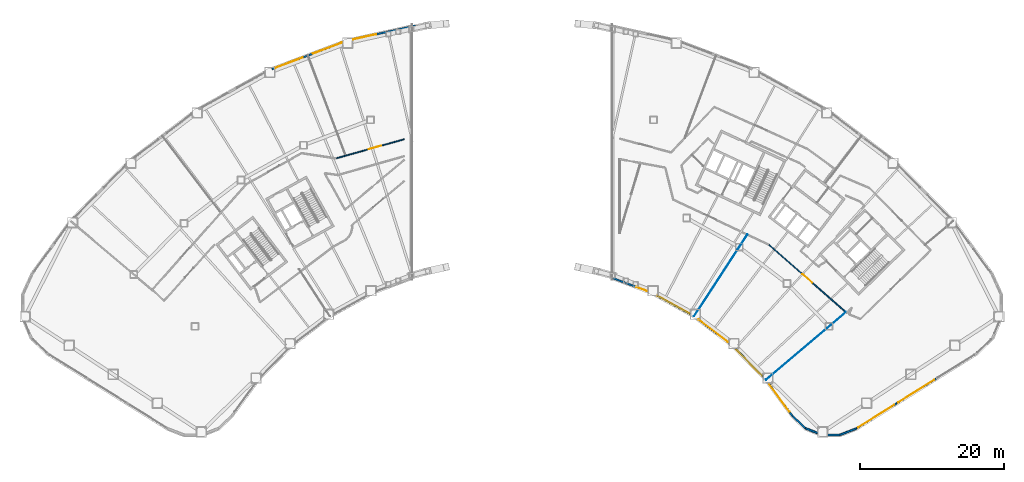
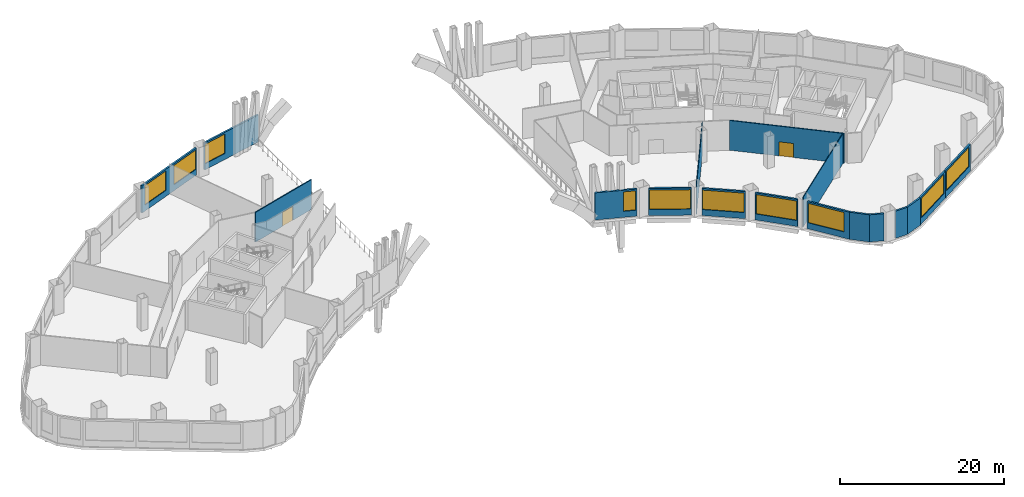
# One storey, part 8 of 14: 17 walls, 10 windows, 2 doors, 12 openings.
"""IFC4 building model written with IfcOpenShell, lengths in metres."""

import ifcopenshell
import ifcopenshell.guid

model = None  # the IFC model being written
_history = None  # IfcOwnerHistory: only IFC2X3 demands one
_inside = {}  # id of a spatial element -> (the spatial element, [elements in it])
_under = {}  # id of a project, library or spatial element -> (it, [spatial elements below it])
_declared = {}  # id of a project -> (the project, [libraries it declares])
_typed = {}  # id of a type object -> (the type object, [elements of that type])
_made_of = {}  # id of a material, layer set ... -> (it, [elements and type objects made of it])


def new_model(schema):
    """Start an empty IFC model of exactly this schema.

    Asked for "IFC4X3", IfcOpenShell would pick the latest addendum, in which some entities
    have other attributes; the version numbers below select the first issue.
    IFC2X3 requires an IfcOwnerHistory on every rooted entity: one is made here for all.
    """
    global model, _history
    if schema == "IFC4X3":
        model = ifcopenshell.file(schema_version=(4, 3, 0, 0))
    else:
        model = ifcopenshell.file(schema=schema)
    _inside.clear()
    _under.clear()
    _declared.clear()
    _typed.clear()
    _made_of.clear()
    _history = None
    if model.schema == "IFC2X3":
        org = make("IfcOrganization", Name="unknown")
        user = make(
            "IfcPersonAndOrganization",
            ThePerson=make("IfcPerson", FamilyName="unknown"),
            TheOrganization=org,
        )
        app = make(
            "IfcApplication",
            ApplicationDeveloper=org,
            Version="unknown",
            ApplicationFullName="unknown",
            ApplicationIdentifier="unknown",
        )
        _history = make(
            "IfcOwnerHistory",
            OwningUser=user,
            OwningApplication=app,
            ChangeAction="ADDED",
            CreationDate=0,
        )
    return model


def make(cls, **values):
    """One entity of the class cls with the attributes given. An attribute that is None is left unset."""
    return model.create_entity(
        cls, **{name: value for name, value in values.items() if value is not None}
    )


def rooted(cls, **values):
    """An entity with a GlobalId (a new one), such as an element, a storey or a relation."""
    return make(cls, GlobalId=ifcopenshell.guid.new(), OwnerHistory=_history, **values)


def si_unit(unit_type, name, prefix=None):
    """IfcSIUnit, for example si_unit("LENGTHUNIT", "METRE", prefix="MILLI")."""
    return make("IfcSIUnit", UnitType=unit_type, Prefix=prefix, Name=name)


def assignment(units):
    """IfcUnitAssignment: the units of a project."""
    return None if units is None else make("IfcUnitAssignment", Units=units)


def point(xyz):
    """IfcCartesianPoint."""
    return None if xyz is None else make("IfcCartesianPoint", Coordinates=xyz)


def direction(xyz):
    """IfcDirection."""
    return None if xyz is None else make("IfcDirection", DirectionRatios=xyz)


def frame(location, z_axis=None, x_axis=None):
    """IfcAxis2Placement3D, a coordinate frame: its origin and axes. An axis left out is left unset."""
    return make(
        "IfcAxis2Placement3D",
        Location=point(location),
        Axis=direction(z_axis),
        RefDirection=direction(x_axis),
    )


def frame_2d(location, x_axis=None):
    """IfcAxis2Placement2D, a coordinate frame in the plane: its origin and x axis."""
    return make(
        "IfcAxis2Placement2D", Location=point(location), RefDirection=direction(x_axis)
    )


def origin():
    """The frame at (0, 0, 0) with its axes left unset."""
    return frame((0.0, 0.0, 0.0))


def place(relative_to, where):
    """IfcLocalPlacement: puts the frame where relative to a parent placement (None: the world)."""
    return make(
        "IfcLocalPlacement", PlacementRelTo=relative_to, RelativePlacement=where
    )


def context(
    kind, dimensions, precision=None, world=None, true_north=None, identifier=None
):
    """IfcGeometricRepresentationContext, for example the 3D "Model" context."""
    return make(
        "IfcGeometricRepresentationContext",
        ContextIdentifier=identifier,
        ContextType=kind,
        CoordinateSpaceDimension=dimensions,
        Precision=precision,
        WorldCoordinateSystem=world,
        TrueNorth=true_north,
    )


def subcontext(parent, identifier, kind, view, scale=None):
    """IfcGeometricRepresentationSubContext, for example "Body" below "Model"."""
    return make(
        "IfcGeometricRepresentationSubContext",
        ContextIdentifier=identifier,
        ContextType=kind,
        ParentContext=parent,
        TargetScale=scale,
        TargetView=view,
    )


def project(units=None, contexts=None):
    """IfcProject with its units and contexts."""
    return rooted(
        "IfcProject",
        Name="project",
        RepresentationContexts=contexts,
        UnitsInContext=assignment(units),
    )


def spatial(cls, under=None, at=None, **own):
    """A site, building, storey or space (cls), placed at a placement, below another one or the project."""
    s = rooted(cls, ObjectPlacement=at, **own)
    if under is not None:
        _under.setdefault(under.id(), (under, []))[1].append(s)
    return s


def profile(cls, at=None, kind="AREA", **sizes):
    """A parametric profile (cls). Its sizes go by their IFC names, for example OverallWidth=200.0."""
    return make(cls, ProfileType=kind, Position=at, **sizes)


def rectangle(**sizes):
    """IfcRectangleProfileDef."""
    return profile("IfcRectangleProfileDef", **sizes)


def extrude(swept, where, along, depth):
    """IfcExtrudedAreaSolid: the profile swept, set in the frame where, extruded along a direction by depth."""
    return make(
        "IfcExtrudedAreaSolid",
        SweptArea=swept,
        Position=where,
        ExtrudedDirection=direction(along),
        Depth=depth,
    )


def shape(context_of_items, identifier, shape_type, items):
    """IfcShapeRepresentation: the items that make up one representation, for example the "Body"."""
    return make(
        "IfcShapeRepresentation",
        ContextOfItems=context_of_items,
        RepresentationIdentifier=identifier,
        RepresentationType=shape_type,
        Items=items,
    )


def material(Name=None, Category=None):
    """IfcMaterial."""
    return make("IfcMaterial", Name=Name, Category=Category)


def layer(
    of_material, thickness, ventilated=None, Name=None, Category=None, Priority=None
):
    """IfcMaterialLayer: one layer of a wall or slab, of a material (None: an air gap)."""
    return make(
        "IfcMaterialLayer",
        Material=of_material,
        LayerThickness=thickness,
        IsVentilated=ventilated,
        Name=Name,
        Category=Category,
        Priority=Priority,
    )


def layer_set(layers, Name=None):
    """IfcMaterialLayerSet."""
    return make("IfcMaterialLayerSet", MaterialLayers=layers, LayerSetName=Name)


def made_of(thing, what):
    """Note that an element or type object is made of a material, layer set ...; save() writes the relation."""
    if what is not None:
        _made_of.setdefault(what.id(), (what, []))[1].append(thing)
    return thing


def type_object(cls, material=None, **own):
    """A type object (cls), such as IfcWallType, which elements share."""
    return made_of(rooted(cls, **own), material)


def element(
    cls,
    number,
    at=None,
    inside=None,
    cuts=None,
    type_object=None,
    material=None,
    context=None,
    identifier="Body",
    shape_type=None,
    held_by="IfcProductDefinitionShape",
    body=None,
    shapes=None,
    **own,
):
    """One element of the class cls, such as IfcWall. Its Tag is "e" and its number.

    at: its placement. inside: the storey or other place that contains it. cuts: it is an
    opening in that element (IfcRelVoidsElement). A single representation is given by context,
    identifier, shape_type and body (its items); several are given by shapes. held_by: the class
    of the entity that holds the representations. save() writes the other relations.
    """
    e = rooted(cls, Tag="e%d" % number, ObjectPlacement=at, **own)
    if body is not None:
        shapes = [shape(context, identifier, shape_type, body)]
    if shapes is not None:
        e.Representation = make(held_by, Representations=shapes)
    if inside is not None:
        _inside.setdefault(inside.id(), (inside, []))[1].append(e)
    if cuts is not None:
        rooted(
            "IfcRelVoidsElement", RelatingBuildingElement=cuts, RelatedOpeningElement=e
        )
    if type_object is not None:
        _typed.setdefault(type_object.id(), (type_object, []))[1].append(e)
    return made_of(e, material)


def fill(opening, filler):
    """IfcRelFillsElement: the door or window that sits in an opening."""
    return rooted(
        "IfcRelFillsElement",
        RelatingOpeningElement=opening,
        RelatedBuildingElement=filler,
    )


def aggregate(whole, parts):
    """IfcRelAggregates: a whole, such as a stair, and the parts it consists of."""
    return rooted("IfcRelAggregates", RelatingObject=whole, RelatedObjects=parts)


def save(model, path):
    """Write the relations noted so far, then the file.

    IfcRelAggregates (storeys below a building ...), IfcRelContainedInSpatialStructure (elements
    in a storey), IfcRelDefinesByType, IfcRelAssociatesMaterial and IfcRelDeclares: one each for
    every whole, place, type object, material and project.
    """
    for whole, parts in _under.values():
        aggregate(whole, parts)
    for where, things in _inside.values():
        rooted(
            "IfcRelContainedInSpatialStructure",
            RelatedElements=things,
            RelatingStructure=where,
        )
    for kind, things in _typed.values():
        rooted("IfcRelDefinesByType", RelatedObjects=things, RelatingType=kind)
    for what, things in _made_of.values():
        rooted("IfcRelAssociatesMaterial", RelatedObjects=things, RelatingMaterial=what)
    for by, libraries in _declared.values():
        rooted("IfcRelDeclares", RelatingContext=by, RelatedDefinitions=libraries)
    model.write(path)


model = new_model("IFC4")

# Units and contexts
model_context = context("Model", 3, precision=1e-05, world=origin(), true_north=direction((0.0, 1.0)))
body_context = subcontext(model_context, "Body", "Model", "MODEL_VIEW")
ifc_project = project(units=[si_unit("LENGTHUNIT", "METRE"), si_unit("AREAUNIT", "SQUARE_METRE"), si_unit("VOLUMEUNIT", "CUBIC_METRE"), si_unit("PLANEANGLEUNIT", "RADIAN"), si_unit("MASSUNIT", "GRAM", prefix="KILO")], contexts=[model_context])

# Site, building, storey
site_placement = place(None, origin())
site = spatial("IfcSite", under=ifc_project, at=site_placement, CompositionType="ELEMENT")
building_placement = place(site_placement, origin())
building = spatial("IfcBuilding", under=site, at=building_placement, Name="Tuul Gate Civic Tower", CompositionType="ELEMENT")
storey_placement = place(building_placement, frame((0.0, 0.0, 17.10009765625)))
storey = spatial("IfcBuildingStorey", under=building, at=storey_placement, Name="Level 03", CompositionType="ELEMENT", Elevation=17.10009765625)

# Wall, opening, door
ifc_material_1 = material(Name="Gypsum board partition")
ifc_layer_1 = layer(ifc_material_1, 0.14990234375)
ifc_layer_set_1 = layer_set([ifc_layer_1], Name="Gypsum board partition")
wall_type_1 = type_object("IfcWallType", Name="Corridor wall P150", PredefinedType="PARTITIONING", material=ifc_layer_set_1)
wall_1_placement = place(storey_placement, frame((-24.411376953125, 0.5869140625, 0.0), z_axis=(0.0, 0.0, 1.0), x_axis=(0.962905224958, 0.269839818686, 0.0)))
wall_1 = element("IfcWall", 1, at=wall_1_placement, inside=storey, type_object=wall_type_1, Name="p014", PredefinedType="PARTITIONING", context=body_context, shape_type="SweptSolid", body=[
    extrude(rectangle(XDim=9.836669921875, YDim=0.14990234375, at=frame_2d((4.91845703125, 0.0))), origin(), (0.0, 0.0, 1.0), 4.449951171875),
])
opening_1_placement = place(wall_1_placement, frame((4.722412109375, 0.0, 0.0)))
opening_1 = element("IfcOpeningElement", 2, at=opening_1_placement, cuts=wall_1, Name="Opening QC-D04", PredefinedType="OPENING", context=body_context, shape_type="SweptSolid", body=[
    extrude(rectangle(XDim=1.800048828125, YDim=2.10009765625, at=frame_2d((0.89990234375, 1.050048828125))), frame((0.0, 0.0849609375, 0.0), z_axis=(0.0, -1.0, 0.0), x_axis=(1.0, 0.0, 0.0)), (0.0, 0.0, 1.0), 0.169921875),
])
ifc_material_2 = material(Name="Timber door leaf, double", Category="wood")
door_type = type_object("IfcDoorType", Name="Door D18", OperationType="DOUBLE_DOOR_SINGLE_SWING", PredefinedType="DOOR", material=ifc_material_2)
door_1_placement = place(opening_1_placement, origin())
door_1 = element("IfcDoor", 3, at=door_1_placement, inside=storey, type_object=door_type, Name="Door QC-D04", OperationType="DOUBLE_DOOR_SINGLE_SWING", OverallHeight=2.10009765625, OverallWidth=1.800048828125, PredefinedType="DOOR", context=body_context, shape_type="SweptSolid", body=[
    extrude(rectangle(XDim=1.800048828125, YDim=2.10009765625, at=frame_2d((0.89990234375, 1.050048828125))), frame((0.0, 0.02490234375, 0.0), z_axis=(0.0, -1.0, 0.0), x_axis=(1.0, 0.0, 0.0)), (0.0, 0.0, 1.0), 0.050048828125),
])
fill(opening_1, door_1)

wall_2_placement = place(storey_placement, frame((35.6708984375, -11.4091796875, 0.0), z_axis=(0.0, 0.0, 1.0), x_axis=(0.751438163445, -0.659803521148, 0.0)))
wall_2 = element("IfcWall", 4, at=wall_2_placement, inside=storey, type_object=wall_type_1, Name="p026", PredefinedType="PARTITIONING", context=body_context, shape_type="SweptSolid", body=[
    extrude(rectangle(XDim=14.320556640625, YDim=0.14990234375, at=frame_2d((7.16015625, 0.0))), origin(), (0.0, 0.0, 1.0), 4.449951171875),
])
opening_2_placement = place(wall_2_placement, frame((6.17724609375, 0.0, 0.0)))
opening_2 = element("IfcOpeningElement", 5, at=opening_2_placement, cuts=wall_2, Name="Opening QC-D07", PredefinedType="OPENING", context=body_context, shape_type="SweptSolid", body=[
    extrude(rectangle(XDim=1.800048828125, YDim=2.10009765625, at=frame_2d((0.89990234375, 1.050048828125))), frame((0.0, 0.0849609375, 0.0), z_axis=(0.0, -1.0, 0.0), x_axis=(1.0, 0.0, 0.0)), (0.0, 0.0, 1.0), 0.169921875),
])
door_2_placement = place(opening_2_placement, frame((1.800048828125, 0.0, 0.0), z_axis=(0.0, 0.0, 1.0), x_axis=(-1.0, 0.0, 0.0)))
door_2 = element("IfcDoor", 6, at=door_2_placement, inside=storey, type_object=door_type, Name="Door QC-D07", OperationType="DOUBLE_DOOR_SINGLE_SWING", OverallHeight=2.10009765625, OverallWidth=1.800048828125, PredefinedType="DOOR", context=body_context, shape_type="SweptSolid", body=[
    extrude(rectangle(XDim=1.800048828125, YDim=2.10009765625, at=frame_2d((0.900146484375, 1.050048828125))), frame((0.0, 0.02490234375, 0.0), z_axis=(0.0, -1.0, 0.0), x_axis=(1.0, 0.0, 0.0)), (0.0, 0.0, 1.0), 0.050048828125),
])
fill(opening_2, door_2)

# Wall, opening, window
ifc_material_3 = material(Name="Precast concrete C40/50", Category="concrete")
ifc_layer_2 = layer(ifc_material_3, 0.25)
ifc_layer_set_2 = layer_set([ifc_layer_2], Name="Precast concrete C40/50")
wall_type_2 = type_object("IfcWallType", Name="External wall", PredefinedType="STANDARD", material=ifc_layer_set_2)
wall_3_placement = place(storey_placement, frame((-13.359130859375, 19.006103515625, 0.0), z_axis=(0.0, 0.0, 1.0), x_axis=(-0.976572225809, -0.215189887722, 0.0)))
wall_3 = element("IfcWall", 7, at=wall_3_placement, inside=storey, type_object=wall_type_2, Name="External wall", PredefinedType="STANDARD", context=body_context, shape_type="SweptSolid", body=[
    extrude(rectangle(XDim=8.9423828125, YDim=0.25, at=frame_2d((4.47119140625, 0.0))), origin(), (0.0, 0.0, 1.0), 4.0498046875),
])
opening_3_placement = place(wall_3_placement, frame((5.59912109375, 0.0, 0.89990234375)))
opening_3 = element("IfcOpeningElement", 8, at=opening_3_placement, cuts=wall_3, Name="Opening W87", PredefinedType="OPENING", context=body_context, shape_type="SweptSolid", body=[
    extrude(rectangle(XDim=3.300048828125, YDim=2.89990234375, at=frame_2d((1.64990234375, 1.449951171875))), frame((0.0, 0.135009765625, 0.0), z_axis=(0.0, -1.0, 0.0), x_axis=(1.0, 0.0, 0.0)), (0.0, 0.0, 1.0), 0.27001953125),
])
ifc_material_4 = material(Name="Glass", Category="glass")
window_type_1 = type_object("IfcWindowType", Name="Window W87 3300 x 2900", PartitioningType="SINGLE_PANEL", PredefinedType="WINDOW", material=ifc_material_4)
window_1_placement = place(opening_3_placement, origin())
window_1 = element("IfcWindow", 9, at=window_1_placement, inside=storey, type_object=window_type_1, Name="Window", OverallHeight=2.89990234375, OverallWidth=3.300048828125, PartitioningType="SINGLE_PANEL", PredefinedType="WINDOW", context=body_context, shape_type="SweptSolid", body=[
    extrude(rectangle(XDim=3.300048828125, YDim=2.89990234375, at=frame_2d((1.64990234375, 1.449951171875))), frame((0.0, 0.030029296875, 0.0), z_axis=(0.0, -1.0, 0.0), x_axis=(1.0, 0.0, 0.0)), (0.0, 0.0, 1.0), 0.06005859375),
])
fill(opening_3, window_1)

# Wall, openings, windows
wall_4_placement = place(storey_placement, frame((-23.491943359375, 16.677490234375, 0.0), z_axis=(0.0, 0.0, 1.0), x_axis=(-0.935356101005, -0.353707455833, 0.0)))
wall_4 = element("IfcWall", 10, at=wall_4_placement, inside=storey, type_object=wall_type_2, Name="External wall", PredefinedType="STANDARD", context=body_context, shape_type="SweptSolid", body=[
    extrude(rectangle(XDim=10.50390625, YDim=0.25, at=frame_2d((5.251953125, 0.0))), origin(), (0.0, 0.0, 1.0), 4.0498046875),
])
opening_4_placement = place(wall_4_placement, frame((0.09521484375, 0.0, 0.89990234375)))
opening_4 = element("IfcOpeningElement", 11, at=opening_4_placement, cuts=wall_4, Name="Opening W13", PredefinedType="OPENING", context=body_context, shape_type="SweptSolid", body=[
    extrude(rectangle(XDim=4.300048828125, YDim=2.89990234375, at=frame_2d((2.14990234375, 1.449951171875))), frame((0.0, 0.135009765625, 0.0), z_axis=(0.0, -1.0, 0.0), x_axis=(1.0, 0.0, 0.0)), (0.0, 0.0, 1.0), 0.27001953125),
])
opening_5_placement = place(wall_4_placement, frame((5.905029296875, 0.0, 0.89990234375)))
opening_5 = element("IfcOpeningElement", 12, at=opening_5_placement, cuts=wall_4, Name="Opening W86", PredefinedType="OPENING", context=body_context, shape_type="SweptSolid", body=[
    extrude(rectangle(XDim=4.10009765625, YDim=2.89990234375, at=frame_2d((2.050048828125, 1.449951171875))), frame((0.0, 0.135009765625, 0.0), z_axis=(0.0, -1.0, 0.0), x_axis=(1.0, 0.0, 0.0)), (0.0, 0.0, 1.0), 0.27001953125),
])
ifc_material_5 = material(Name="Glass", Category="glass")
window_type_2 = type_object("IfcWindowType", Name="Window W13 4300 x 2900", PartitioningType="SINGLE_PANEL", PredefinedType="WINDOW", material=ifc_material_5)
window_2_placement = place(opening_4_placement, origin())
window_2 = element("IfcWindow", 13, at=window_2_placement, inside=storey, type_object=window_type_2, Name="Window", OverallHeight=2.89990234375, OverallWidth=4.300048828125, PartitioningType="SINGLE_PANEL", PredefinedType="WINDOW", context=body_context, shape_type="SweptSolid", body=[
    extrude(rectangle(XDim=4.300048828125, YDim=2.89990234375, at=frame_2d((2.14990234375, 1.449951171875))), frame((0.0, 0.030029296875, 0.0), z_axis=(0.0, -1.0, 0.0), x_axis=(1.0, 0.0, 0.0)), (0.0, 0.0, 1.0), 0.06005859375),
])
fill(opening_4, window_2)
ifc_material_6 = material(Name="Glass", Category="glass")
window_type_3 = type_object("IfcWindowType", Name="Window W86 4100 x 2900", PartitioningType="SINGLE_PANEL", PredefinedType="WINDOW", material=ifc_material_6)
window_3_placement = place(opening_5_placement, origin())
window_3 = element("IfcWindow", 14, at=window_3_placement, inside=storey, type_object=window_type_3, Name="Window", OverallHeight=2.89990234375, OverallWidth=4.10009765625, PartitioningType="SINGLE_PANEL", PredefinedType="WINDOW", context=body_context, shape_type="SweptSolid", body=[
    extrude(rectangle(XDim=4.10009765625, YDim=2.89990234375, at=frame_2d((2.050048828125, 1.449951171875))), frame((0.0, 0.030029296875, 0.0), z_axis=(0.0, -1.0, 0.0), x_axis=(1.0, 0.0, 0.0)), (0.0, 0.0, 1.0), 0.06005859375),
])
fill(opening_5, window_3)

# Wall, opening, window
wall_5_placement = place(storey_placement, frame((13.976318359375, -16.020263671875, 0.0), z_axis=(0.0, 0.0, 1.0), x_axis=(0.935343157142, -0.353741683136, 0.0)))
wall_5 = element("IfcWall", 15, at=wall_5_placement, inside=storey, type_object=wall_type_2, Name="External wall", PredefinedType="STANDARD", context=body_context, shape_type="SweptSolid", body=[
    extrude(rectangle(XDim=5.218994140625, YDim=0.25, at=frame_2d((2.609375, 0.0))), origin(), (0.0, 0.0, 1.0), 4.0498046875),
])
opening_6_placement = place(wall_5_placement, frame((3.529052734375, 0.0, 0.89990234375)))
opening_6 = element("IfcOpeningElement", 16, at=opening_6_placement, cuts=wall_5, Name="Opening W89", PredefinedType="OPENING", context=body_context, shape_type="SweptSolid", body=[
    extrude(rectangle(XDim=1.5, YDim=2.89990234375, at=frame_2d((0.75, 1.449951171875))), frame((0.0, 0.135009765625, 0.0), z_axis=(0.0, -1.0, 0.0), x_axis=(1.0, 0.0, 0.0)), (0.0, 0.0, 1.0), 0.27001953125),
])
ifc_material_7 = material(Name="Glass", Category="glass")
window_type_4 = type_object("IfcWindowType", Name="Window W89 1500 x 2900", PartitioningType="SINGLE_PANEL", PredefinedType="WINDOW", material=ifc_material_7)
window_4_placement = place(opening_6_placement, origin())
window_4 = element("IfcWindow", 17, at=window_4_placement, inside=storey, type_object=window_type_4, Name="Window", OverallHeight=2.89990234375, OverallWidth=1.5, PartitioningType="SINGLE_PANEL", PredefinedType="WINDOW", context=body_context, shape_type="SweptSolid", body=[
    extrude(rectangle(XDim=1.5, YDim=2.89990234375, at=frame_2d((0.75, 1.449951171875))), frame((0.0, 0.030029296875, 0.0), z_axis=(0.0, -1.0, 0.0), x_axis=(1.0, 0.0, 0.0)), (0.0, 0.0, 1.0), 0.06005859375),
])
fill(opening_6, window_4)

wall_6_placement = place(storey_placement, frame((20.149169921875, -18.48291015625, 0.0), z_axis=(0.0, 0.0, 1.0), x_axis=(0.874655082175, -0.4847457965, 0.0)))
wall_6 = element("IfcWall", 18, at=wall_6_placement, inside=storey, type_object=wall_type_2, Name="External wall", PredefinedType="STANDARD", context=body_context, shape_type="SweptSolid", body=[
    extrude(rectangle(XDim=5.24658203125, YDim=0.25, at=frame_2d((2.623291015625, 0.0))), origin(), (0.0, 0.0, 1.0), 4.0498046875),
])
opening_7_placement = place(wall_6_placement, frame((0.092041015625, 0.0, 0.89990234375)))
opening_7 = element("IfcOpeningElement", 19, at=opening_7_placement, cuts=wall_6, Name="Opening W88", PredefinedType="OPENING", context=body_context, shape_type="SweptSolid", body=[
    extrude(rectangle(XDim=5.050048828125, YDim=2.89990234375, at=frame_2d((2.52490234375, 1.449951171875))), frame((0.0, 0.135009765625, 0.0), z_axis=(0.0, -1.0, 0.0), x_axis=(1.0, 0.0, 0.0)), (0.0, 0.0, 1.0), 0.27001953125),
])
ifc_material_8 = material(Name="Glass", Category="glass")
window_type_5 = type_object("IfcWindowType", Name="Window W88 5050 x 2900", PartitioningType="SINGLE_PANEL", PredefinedType="WINDOW", material=ifc_material_8)
window_5_placement = place(opening_7_placement, origin())
window_5 = element("IfcWindow", 20, at=window_5_placement, inside=storey, type_object=window_type_5, Name="Window", OverallHeight=2.89990234375, OverallWidth=5.050048828125, PartitioningType="SINGLE_PANEL", PredefinedType="WINDOW", context=body_context, shape_type="SweptSolid", body=[
    extrude(rectangle(XDim=5.050048828125, YDim=2.89990234375, at=frame_2d((2.52490234375, 1.449951171875))), frame((0.0, 0.030029296875, 0.0), z_axis=(0.0, -1.0, 0.0), x_axis=(1.0, 0.0, 0.0)), (0.0, 0.0, 1.0), 0.06005859375),
])
fill(opening_7, window_5)

wall_7_placement = place(storey_placement, frame((25.821533203125, -21.742919921875, 0.0), z_axis=(0.0, 0.0, 1.0), x_axis=(0.795633484335, -0.605778308134, 0.0)))
wall_7 = element("IfcWall", 21, at=wall_7_placement, inside=storey, type_object=wall_type_2, Name="External wall", PredefinedType="STANDARD", context=body_context, shape_type="SweptSolid", body=[
    extrude(rectangle(XDim=5.35986328125, YDim=0.25, at=frame_2d((2.679931640625, 0.0))), origin(), (0.0, 0.0, 1.0), 4.0498046875),
])
opening_8_placement = place(wall_7_placement, frame((0.056396484375, 0.0, 0.89990234375)))
opening_8 = element("IfcOpeningElement", 22, at=opening_8_placement, cuts=wall_7, Name="Opening W18", PredefinedType="OPENING", context=body_context, shape_type="SweptSolid", body=[
    extrude(rectangle(XDim=5.14990234375, YDim=2.89990234375, at=frame_2d((2.574951171875, 1.449951171875))), frame((0.0, 0.135009765625, 0.0), z_axis=(0.0, -1.0, 0.0), x_axis=(1.0, 0.0, 0.0)), (0.0, 0.0, 1.0), 0.27001953125),
])
ifc_material_9 = material(Name="Glass", Category="glass")
window_type_6 = type_object("IfcWindowType", Name="Window W18 5150 x 2900", PartitioningType="SINGLE_PANEL", PredefinedType="WINDOW", material=ifc_material_9)
window_6_placement = place(opening_8_placement, origin())
window_6 = element("IfcWindow", 23, at=window_6_placement, inside=storey, type_object=window_type_6, Name="Window", OverallHeight=2.89990234375, OverallWidth=5.14990234375, PartitioningType="SINGLE_PANEL", PredefinedType="WINDOW", context=body_context, shape_type="SweptSolid", body=[
    extrude(rectangle(XDim=5.14990234375, YDim=2.89990234375, at=frame_2d((2.574951171875, 1.449951171875))), frame((0.0, 0.030029296875, 0.0), z_axis=(0.0, -1.0, 0.0), x_axis=(1.0, 0.0, 0.0)), (0.0, 0.0, 1.0), 0.06005859375),
])
fill(opening_8, window_6)

wall_8_placement = place(storey_placement, frame((31.017822265625, -25.81494140625, 0.0), z_axis=(0.0, 0.0, 1.0), x_axis=(0.700007573651, -0.714135419112, 0.0)))
wall_8 = element("IfcWall", 24, at=wall_8_placement, inside=storey, type_object=wall_type_2, Name="External wall", PredefinedType="STANDARD", context=body_context, shape_type="SweptSolid", body=[
    extrude(rectangle(XDim=5.3916015625, YDim=0.25, at=frame_2d((2.69580078125, 0.0))), origin(), (0.0, 0.0, 1.0), 4.0498046875),
])
opening_9_placement = place(wall_8_placement, frame((0.1240234375, 0.0, 0.89990234375)))
opening_9 = element("IfcOpeningElement", 25, at=opening_9_placement, cuts=wall_8, Name="Opening W18", PredefinedType="OPENING", context=body_context, shape_type="SweptSolid", body=[
    extrude(rectangle(XDim=5.14990234375, YDim=2.89990234375, at=frame_2d((2.574951171875, 1.449951171875))), frame((0.0, 0.135009765625, 0.0), z_axis=(0.0, -1.0, 0.0), x_axis=(1.0, 0.0, 0.0)), (0.0, 0.0, 1.0), 0.27001953125),
])
window_7_placement = place(opening_9_placement, origin())
window_7 = element("IfcWindow", 26, at=window_7_placement, inside=storey, type_object=window_type_6, Name="Window", OverallHeight=2.89990234375, OverallWidth=5.14990234375, PartitioningType="SINGLE_PANEL", PredefinedType="WINDOW", context=body_context, shape_type="SweptSolid", body=[
    extrude(rectangle(XDim=5.14990234375, YDim=2.89990234375, at=frame_2d((2.574951171875, 1.449951171875))), frame((0.0, 0.030029296875, 0.0), z_axis=(0.0, -1.0, 0.0), x_axis=(1.0, 0.0, 0.0)), (0.0, 0.0, 1.0), 0.06005859375),
])
fill(opening_9, window_7)

wall_9_placement = place(storey_placement, frame((35.6015625, -30.615966796875, 0.0), z_axis=(0.0, 0.0, 1.0), x_axis=(0.589744217154, -0.807590093013, 0.0)))
wall_9 = element("IfcWall", 27, at=wall_9_placement, inside=storey, type_object=wall_type_2, Name="External wall", PredefinedType="STANDARD", context=body_context, shape_type="SweptSolid", body=[
    extrude(rectangle(XDim=5.6640625, YDim=0.25, at=frame_2d((2.83203125, 0.0))), origin(), (0.0, 0.0, 1.0), 4.0498046875),
])
opening_10_placement = place(wall_9_placement, frame((0.158203125, 0.0, 0.89990234375)))
opening_10 = element("IfcOpeningElement", 28, at=opening_10_placement, cuts=wall_9, Name="Opening W17", PredefinedType="OPENING", context=body_context, shape_type="SweptSolid", body=[
    extrude(rectangle(XDim=4.75, YDim=2.89990234375, at=frame_2d((2.375, 1.449951171875))), frame((0.0, 0.135009765625, 0.0), z_axis=(0.0, -1.0, 0.0), x_axis=(1.0, 0.0, 0.0)), (0.0, 0.0, 1.0), 0.27001953125),
])
ifc_material_10 = material(Name="Glass", Category="glass")
window_type_7 = type_object("IfcWindowType", Name="Window W17 4750 x 2900", PartitioningType="SINGLE_PANEL", PredefinedType="WINDOW", material=ifc_material_10)
window_8_placement = place(opening_10_placement, origin())
window_8 = element("IfcWindow", 29, at=window_8_placement, inside=storey, type_object=window_type_7, Name="Window", OverallHeight=2.89990234375, OverallWidth=4.75, PartitioningType="SINGLE_PANEL", PredefinedType="WINDOW", context=body_context, shape_type="SweptSolid", body=[
    extrude(rectangle(XDim=4.75, YDim=2.89990234375, at=frame_2d((2.375, 1.449951171875))), frame((0.0, 0.030029296875, 0.0), z_axis=(0.0, -1.0, 0.0), x_axis=(1.0, 0.0, 0.0)), (0.0, 0.0, 1.0), 0.06005859375),
])
fill(opening_10, window_8)

# Walls
wall_10_placement = place(storey_placement, frame((38.926513671875, -35.1728515625, 0.0), z_axis=(0.0, 0.0, 1.0), x_axis=(0.729855985574, -0.683600936455, 0.0)))
element("IfcWall", 30, at=wall_10_placement, inside=storey, type_object=wall_type_2, Name="External wall", PredefinedType="STANDARD", context=body_context, shape_type="SweptSolid", body=[
    extrude(rectangle(XDim=2.507080078125, YDim=0.25, at=frame_2d((1.25341796875, 0.0))), origin(), (0.0, 0.0, 1.0), 4.0498046875),
])
wall_11_placement = place(storey_placement, frame((40.717041015625, -36.86181640625, 0.0), z_axis=(0.0, 0.0, 1.0), x_axis=(0.929466539536, -0.368906427001, 0.0)))
element("IfcWall", 31, at=wall_11_placement, inside=storey, type_object=wall_type_2, Name="External wall", PredefinedType="STANDARD", context=body_context, shape_type="SweptSolid", body=[
    extrude(rectangle(XDim=1.81396484375, YDim=0.25, at=frame_2d((0.906982421875, 0.0))), origin(), (0.0, 0.0, 1.0), 4.0498046875),
])
wall_12_placement = place(storey_placement, frame((43.802978515625, -37.780517578125, 0.0), z_axis=(0.0, 0.0, 1.0), x_axis=(0.999995034341, -0.003151395324, 0.0)))
element("IfcWall", 32, at=wall_12_placement, inside=storey, type_object=wall_type_2, Name="External wall", PredefinedType="STANDARD", context=body_context, shape_type="SweptSolid", body=[
    extrude(rectangle(XDim=1.704345703125, YDim=0.25, at=frame_2d((0.85205078125, 0.0))), origin(), (0.0, 0.0, 1.0), 4.0498046875),
])
wall_13_placement = place(storey_placement, frame((45.461669921875, -37.79443359375, 0.0), z_axis=(0.0, 0.0, 1.0), x_axis=(0.931986397936, 0.36249324692, 0.0)))
element("IfcWall", 33, at=wall_13_placement, inside=storey, type_object=wall_type_2, Name="External wall", PredefinedType="STANDARD", context=body_context, shape_type="SweptSolid", body=[
    extrude(rectangle(XDim=2.507568359375, YDim=0.25, at=frame_2d((1.25390625, 0.0))), origin(), (0.0, 0.0, 1.0), 4.0498046875),
])

# Wall, opening, window
wall_14_placement = place(storey_placement, frame((47.77783203125, -36.89599609375, 0.0), z_axis=(0.0, 0.0, 1.0), x_axis=(0.848025609636, 0.529955248489, 0.0)))
wall_14 = element("IfcWall", 34, at=wall_14_placement, inside=storey, type_object=wall_type_2, Name="External wall", PredefinedType="STANDARD", context=body_context, shape_type="SweptSolid", body=[
    extrude(rectangle(XDim=6.52978515625, YDim=0.25, at=frame_2d((3.264892578125, 0.0))), origin(), (0.0, 0.0, 1.0), 4.0498046875),
])
opening_11_placement = place(wall_14_placement, frame((0.314697265625, 0.0, 0.89990234375)))
opening_11 = element("IfcOpeningElement", 35, at=opening_11_placement, cuts=wall_14, Name="Opening W14", PredefinedType="OPENING", context=body_context, shape_type="SweptSolid", body=[
    extrude(rectangle(XDim=5.89990234375, YDim=2.89990234375, at=frame_2d((2.949951171875, 1.449951171875))), frame((0.0, 0.135009765625, 0.0), z_axis=(0.0, -1.0, 0.0), x_axis=(1.0, 0.0, 0.0)), (0.0, 0.0, 1.0), 0.27001953125),
])
ifc_material_11 = material(Name="Glass", Category="glass")
window_type_8 = type_object("IfcWindowType", Name="Window W14 5900 x 2900", PartitioningType="SINGLE_PANEL", PredefinedType="WINDOW", material=ifc_material_11)
window_9_placement = place(opening_11_placement, origin())
window_9 = element("IfcWindow", 36, at=window_9_placement, inside=storey, type_object=window_type_8, Name="Window", OverallHeight=2.89990234375, OverallWidth=5.89990234375, PartitioningType="SINGLE_PANEL", PredefinedType="WINDOW", context=body_context, shape_type="SweptSolid", body=[
    extrude(rectangle(XDim=5.89990234375, YDim=2.89990234375, at=frame_2d((2.949951171875, 1.449951171875))), frame((0.0, 0.030029296875, 0.0), z_axis=(0.0, -1.0, 0.0), x_axis=(1.0, 0.0, 0.0)), (0.0, 0.0, 1.0), 0.06005859375),
])
fill(opening_11, window_9)

wall_15_placement = place(storey_placement, frame((53.315185546875, -33.435546875, 0.0), z_axis=(0.0, 0.0, 1.0), x_axis=(0.848042412856, 0.529928359306, 0.0)))
wall_15 = element("IfcWall", 37, at=wall_15_placement, inside=storey, type_object=wall_type_2, Name="External wall", PredefinedType="STANDARD", context=body_context, shape_type="SweptSolid", body=[
    extrude(rectangle(XDim=6.529541015625, YDim=0.25, at=frame_2d((3.2646484375, 0.0))), origin(), (0.0, 0.0, 1.0), 4.0498046875),
])
opening_12_placement = place(wall_15_placement, frame((0.314697265625, 0.0, 0.89990234375)))
opening_12 = element("IfcOpeningElement", 38, at=opening_12_placement, cuts=wall_15, Name="Opening W14", PredefinedType="OPENING", context=body_context, shape_type="SweptSolid", body=[
    extrude(rectangle(XDim=5.89990234375, YDim=2.89990234375, at=frame_2d((2.949951171875, 1.449951171875))), frame((0.0, 0.135009765625, 0.0), z_axis=(0.0, -1.0, 0.0), x_axis=(1.0, 0.0, 0.0)), (0.0, 0.0, 1.0), 0.27001953125),
])
window_10_placement = place(opening_12_placement, origin())
window_10 = element("IfcWindow", 39, at=window_10_placement, inside=storey, type_object=window_type_8, Name="Window", OverallHeight=2.89990234375, OverallWidth=5.89990234375, PartitioningType="SINGLE_PANEL", PredefinedType="WINDOW", context=body_context, shape_type="SweptSolid", body=[
    extrude(rectangle(XDim=5.89990234375, YDim=2.89990234375, at=frame_2d((2.949951171875, 1.449951171875))), frame((0.0, 0.030029296875, 0.0), z_axis=(0.0, -1.0, 0.0), x_axis=(1.0, 0.0, 0.0)), (0.0, 0.0, 1.0), 0.06005859375),
])
fill(opening_12, window_10)

# Walls
ifc_material_12 = material(Name="Gypsum board partition")
ifc_layer_3 = layer(ifc_material_12, 0.10009765625)
ifc_layer_set_3 = layer_set([ifc_layer_3], Name="Gypsum board partition")
wall_type_3 = type_object("IfcWallType", Name="Partition P100", PredefinedType="PARTITIONING", material=ifc_layer_set_3)
wall_16_placement = place(storey_placement, frame((35.239990234375, -30.12939453125, 0.0), z_axis=(0.0, 0.0, 1.0), x_axis=(0.762828775649, 0.646600540552, 0.0)))
element("IfcWall", 40, at=wall_16_placement, inside=storey, type_object=wall_type_3, Name="p002", PredefinedType="PARTITIONING", context=body_context, shape_type="SweptSolid", body=[
    extrude(rectangle(XDim=14.50830078125, YDim=0.10009765625, at=frame_2d((7.254150390625, 0.0))), origin(), (0.0, 0.0, 1.0), 4.449951171875),
])
wall_17_placement = place(storey_placement, frame((25.2568359375, -21.3193359375, 0.0), z_axis=(0.0, 0.0, 1.0), x_axis=(0.546733681599, 0.837306563575, 0.0)))
element("IfcWall", 41, at=wall_17_placement, inside=storey, type_object=wall_type_3, Name="p024", PredefinedType="PARTITIONING", context=body_context, shape_type="SweptSolid", body=[
    extrude(rectangle(XDim=13.53662109375, YDim=0.10009765625, at=frame_2d((6.768310546875, 0.0))), origin(), (0.0, 0.0, 1.0), 4.449951171875),
])

save(model, "model.ifc")
